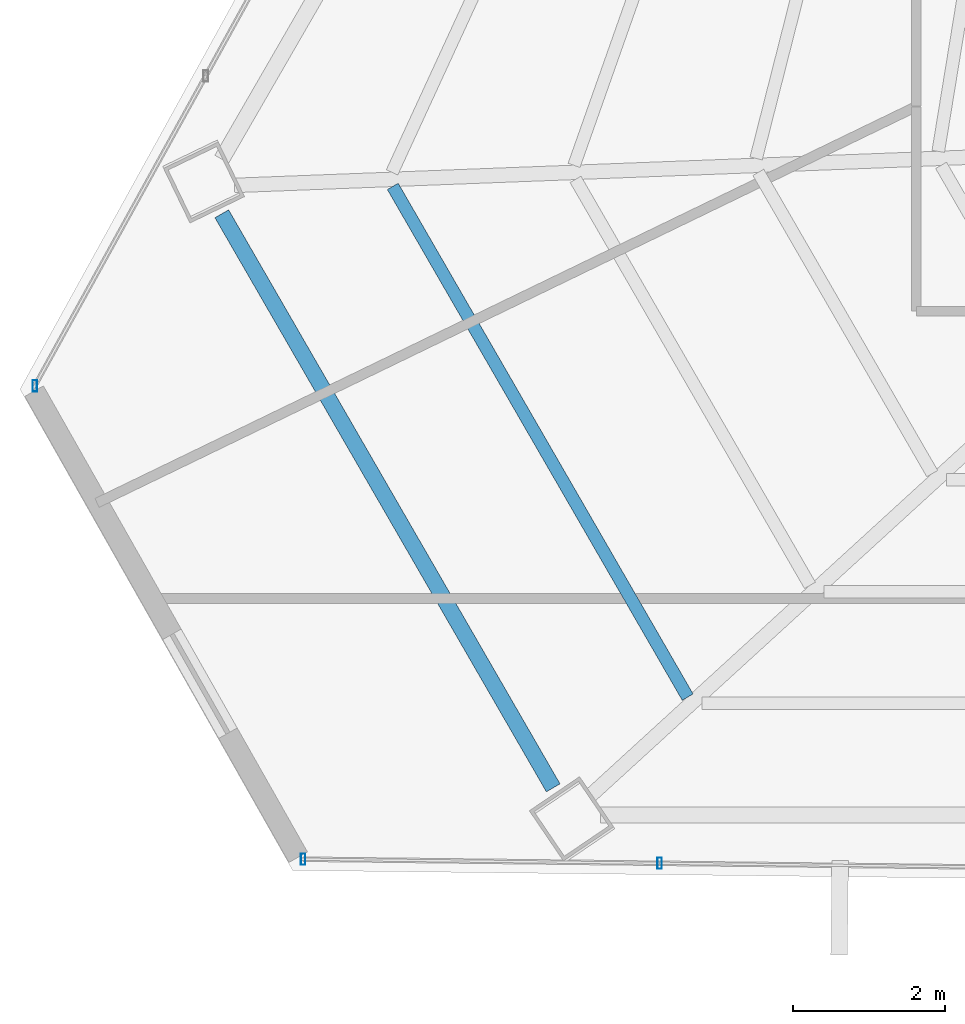
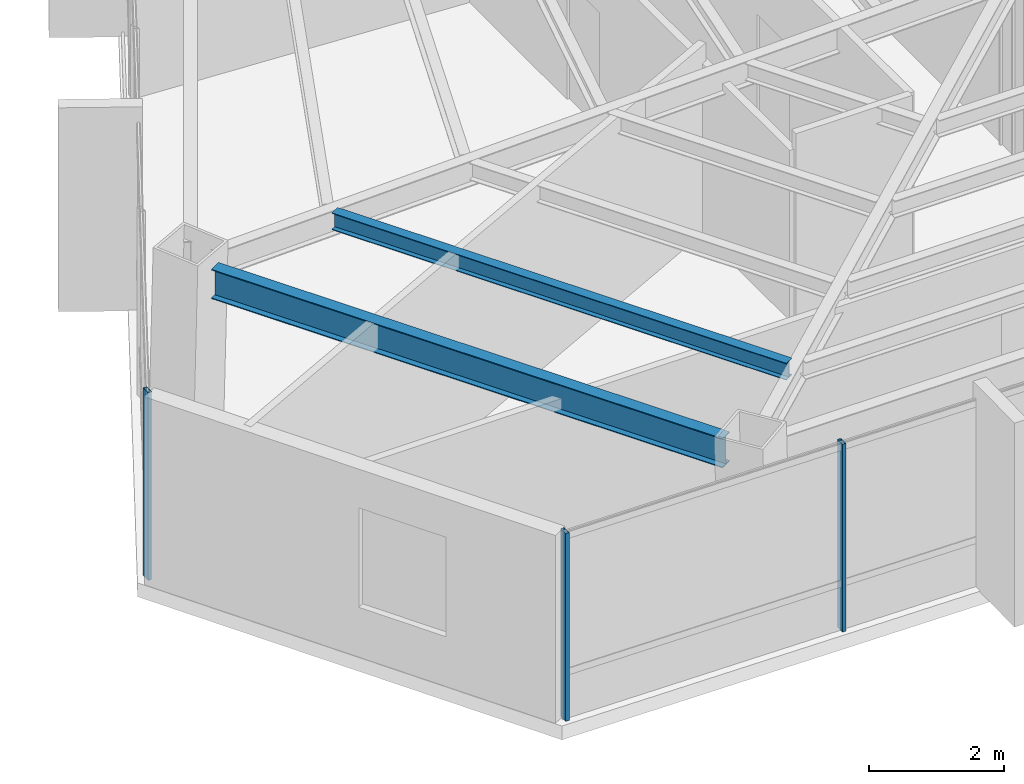
# One storey, part 3 of 40: 3 members, 2 beams, 2 elements without a shape of their own.
"""IFC4 building model written with IfcOpenShell, lengths in metres."""

from ifc_helpers import new_model, si_unit, direction, frame, origin, origin_2d, place, context, subcontext, project, spatial, hollow_rectangle, i_section, extrude, source, transform, mapped, material, material_profile, profile_set, type_object, type_shapes, element, aggregate, save


model = new_model("IFC4")

# Units and contexts
model_context = context("Model", 3, precision=1e-05, world=origin(), true_north=direction((0.0, 1.0)))
body_context = subcontext(model_context, "Body", "Model", "MODEL_VIEW")
ifc_project = project(units=[si_unit("LENGTHUNIT", "METRE"), si_unit("AREAUNIT", "SQUARE_METRE"), si_unit("VOLUMEUNIT", "CUBIC_METRE"), si_unit("PLANEANGLEUNIT", "RADIAN"), si_unit("MASSUNIT", "GRAM", prefix="KILO")], contexts=[model_context])

# Site, building, storey
site_placement = place(None, origin())
site = spatial("IfcSite", under=ifc_project, at=site_placement, CompositionType="ELEMENT")
building_placement = place(site_placement, origin())
building = spatial("IfcBuilding", under=site, at=building_placement, Name="Caelisora Broadcast Tower", CompositionType="ELEMENT")
storey_placement = place(building_placement, frame((0.0, 0.0, 213.25)))
storey = spatial("IfcBuildingStorey", under=building, at=storey_placement, Name="L56", CompositionType="ELEMENT", Elevation=213.25)

# Beams
ifc_material_1 = material(Name="Steel Grade 350 (AS/NZS 3679.1)", Category="steel")
ifc_material_profile_1 = material_profile(ifc_material_1, i_section(OverallWidth=0.208984375, OverallDepth=0.532958984375, WebThickness=0.01025390625, FlangeThickness=0.015625, at=origin_2d()), Name="Steel Grade 350 (AS/NZS 3679.1)")
ifc_profile_set_1 = profile_set([ifc_material_profile_1], Name="Steel Grade 350 (AS/NZS 3679.1)")
beam_type_1 = type_object("IfcBeamType", Name="PG05", PredefinedType="BEAM", material=ifc_profile_set_1)
shared_shape_1 = source(origin(), body_context, "Body", "SweptSolid", [
    extrude(i_section(OverallWidth=0.208984375, OverallDepth=0.532958984375, WebThickness=0.01025390625, FlangeThickness=0.015625, at=origin_2d()), origin(), (0.0, 0.0, 1.0), 8.7470703125),
])
type_shapes(beam_type_1, [shared_shape_1])
beam_1_placement = place(storey_placement, frame((16.236572265625, 16.485107421875, 3.133544921875), z_axis=(0.499999494409, -0.866025695687, 0.0), x_axis=(0.866025695687, 0.499999494409, 0.0)))
element("IfcBeam", 1, at=beam_1_placement, inside=storey, type_object=beam_type_1, Name="L56 beam PG05", PredefinedType="BEAM", context=body_context, shape_type="MappedRepresentation", body=[
    mapped(shared_shape_1, transform((0.0, 0.0, 0.0), scale=1.0)),
])
ifc_material_profile_2 = material_profile(ifc_material_1, i_section(OverallWidth=0.166015625, OverallDepth=0.30712890625, WebThickness=0.006591796875, FlangeThickness=0.01171875, at=origin_2d()), Name="Steel Grade 350 (AS/NZS 3679.1)")
ifc_profile_set_2 = profile_set([ifc_material_profile_2], Name="Steel Grade 350 (AS/NZS 3679.1)")
beam_type_2 = type_object("IfcBeamType", Name="SB03", PredefinedType="JOIST", material=ifc_profile_set_2)
shared_shape_2 = source(origin(), body_context, "Body", "SweptSolid", [
    extrude(i_section(OverallWidth=0.166015625, OverallDepth=0.30712890625, WebThickness=0.006591796875, FlangeThickness=0.01171875, at=origin_2d()), origin(), (0.0, 0.0, 1.0), 7.78271484375),
])
type_shapes(beam_type_2, [shared_shape_2])
beam_2_placement = place(storey_placement, frame((18.492919921875, 16.8466796875, 3.246337890625), z_axis=(0.500025670448, -0.866010582437, 0.0), x_axis=(0.866010582437, 0.500025670448, 0.0)))
element("IfcBeam", 2, at=beam_2_placement, inside=storey, type_object=beam_type_2, Name="L56 beam SB03", PredefinedType="JOIST", context=body_context, shape_type="MappedRepresentation", body=[
    mapped(shared_shape_2, transform((0.0, 0.0, 0.0), scale=1.0)),
])

# Curtain wall, members
ifc_material_2 = material(Name="Unitised Aluminium and Low-E Glass Curtain Wall", Category="glass")
curtain_wall_type = type_object("IfcCurtainWallType", Name="CW-Z4", PredefinedType="NOTDEFINED", material=ifc_material_2)
curtain_wall_1_placement = place(storey_placement, origin())
curtain_wall_1 = element("IfcCurtainWall", 3, at=curtain_wall_1_placement, inside=storey, type_object=curtain_wall_type, Name="L56 curtain wall CW-Z4", PredefinedType="NOTDEFINED")
ifc_material_3 = material(Name="Aluminium 6063-T6 Anodised Terracotta Bronze", Category="aluminium")
ifc_material_profile_3 = material_profile(ifc_material_3, hollow_rectangle(XDim=0.06005859375, YDim=0.14990234375, WallThickness=0.00341796875, at=origin_2d()), Name="Aluminium 6063-T6 Anodised Terracotta Bronze")
ifc_profile_set_3 = profile_set([ifc_material_profile_3], Name="Aluminium 6063-T6 Anodised Terracotta Bronze")
member_type = type_object("IfcMemberType", Name="CWM-03", PredefinedType="MULLION", material=ifc_profile_set_3)
shared_shape_3 = source(origin(), body_context, "Body", "SweptSolid", [
    extrude(hollow_rectangle(XDim=0.06005859375, YDim=0.14990234375, WallThickness=0.00341796875, at=origin_2d()), origin(), (0.0, 0.0, 1.0), 3.39990234375),
])
type_shapes(member_type, [shared_shape_3])
member_1_placement = place(storey_placement, frame((22.015380859375, 7.91455078125, 0.0), z_axis=(0.0, 0.0, 1.0), x_axis=(1.0, 0.0, 0.0)))
member_1 = element("IfcMember", 4, at=member_1_placement, type_object=member_type, Name="L56-CW-B07 mullion #2", PredefinedType="MULLION", context=body_context, shape_type="MappedRepresentation", body=[
    mapped(shared_shape_3, transform((0.0, 0.0, 0.0), scale=1.0)),
])
member_2_placement = place(storey_placement, frame((17.31005859375, 7.968505859375, 0.0), z_axis=(0.0, 0.0, 1.0), x_axis=(1.0, 0.0, 0.0)))
member_2 = element("IfcMember", 5, at=member_2_placement, type_object=member_type, Name="L56-CW-B07 mullion #3", PredefinedType="MULLION", context=body_context, shape_type="MappedRepresentation", body=[
    mapped(shared_shape_3, transform((0.0, 0.0, 0.0), scale=1.0)),
])
aggregate(curtain_wall_1, [member_1, member_2])

# Curtain wall, member
curtain_wall_2_placement = place(storey_placement, origin())
curtain_wall_2 = element("IfcCurtainWall", 6, at=curtain_wall_2_placement, inside=storey, type_object=curtain_wall_type, Name="L56 curtain wall CW-Z4", PredefinedType="NOTDEFINED")
member_3_placement = place(storey_placement, frame((13.77001953125, 14.21484375, 0.0), z_axis=(0.0, 0.0, 1.0), x_axis=(1.0, 0.0, 0.0)))
member_3 = element("IfcMember", 7, at=member_3_placement, type_object=member_type, Name="L56-CW-B09 mullion #0", PredefinedType="MULLION", context=body_context, shape_type="MappedRepresentation", body=[
    mapped(shared_shape_3, transform((0.0, 0.0, 0.0), scale=1.0)),
])
aggregate(curtain_wall_2, [member_3])

save(model, "model.ifc")
